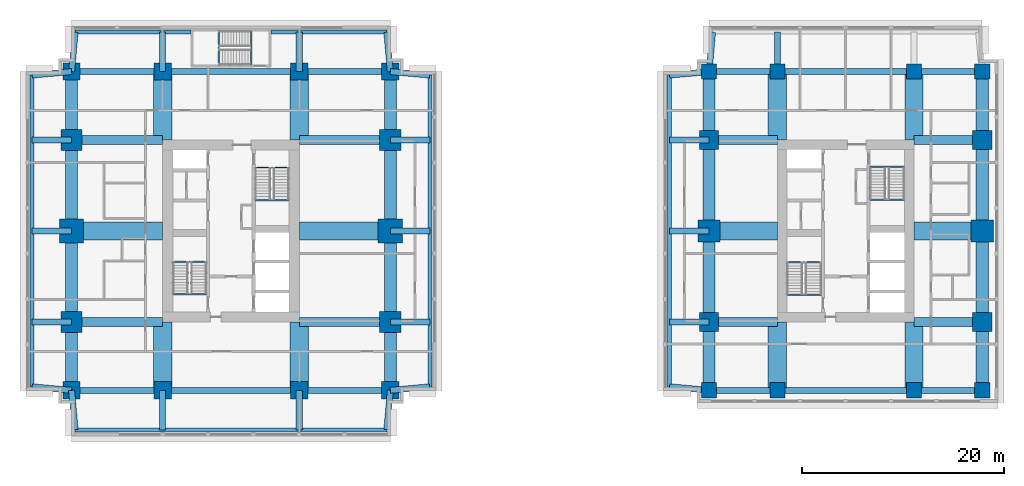
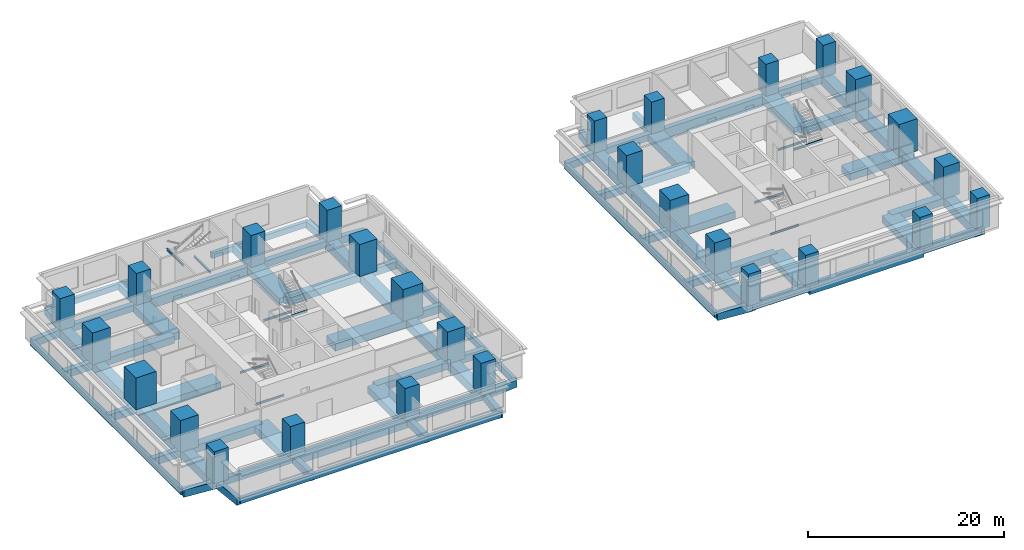
# One storey, part 1 of 10: 89 beams, 28 columns.
"""IFC4 building model written with IfcOpenShell, lengths in metres."""

from ifc_helpers import new_model, si_unit, direction, frame, origin, origin_2d, place, context, subcontext, project, spatial, rectangle, i_section, extrude, material, material_profile, profile_set, type_object, element, save


model = new_model("IFC4")

# Units and contexts
model_context = context("Model", 3, precision=1e-05, world=origin(), true_north=direction((0.0, 1.0)))
body_context = subcontext(model_context, "Body", "Model", "MODEL_VIEW")
ifc_project = project(units=[si_unit("LENGTHUNIT", "METRE"), si_unit("AREAUNIT", "SQUARE_METRE"), si_unit("VOLUMEUNIT", "CUBIC_METRE"), si_unit("PLANEANGLEUNIT", "RADIAN"), si_unit("MASSUNIT", "GRAM", prefix="KILO")], contexts=[model_context])

# Site, building, storey
site_placement = place(None, origin())
site = spatial("IfcSite", under=ifc_project, at=site_placement, CompositionType="ELEMENT")
building_placement = place(site_placement, origin())
building = spatial("IfcBuilding", under=site, at=building_placement, Name="Namib Vertical Campus", CompositionType="ELEMENT")
storey_placement = place(building_placement, frame((0.0, 0.0, 165.0)))
storey = spatial("IfcBuildingStorey", under=building, at=storey_placement, Name="L39", CompositionType="ELEMENT", Elevation=165.0)

# Columns
ifc_material_1 = material(Name="Concrete C60/75", Category="concrete")
ifc_material_profile_1 = material_profile(ifc_material_1, rectangle(XDim=1.5, YDim=1.5, at=origin_2d()))
ifc_profile_set_1 = profile_set([ifc_material_profile_1], Name="Concrete C60/75")
column_type_1 = type_object("IfcColumnType", Name="Column RC 1500x1500", PredefinedType="COLUMN", material=ifc_profile_set_1)
for number, where, z_axis, x_axis, name in (
    (1, (67.5, 4.5, 0.0), (0.0, 0.0, 1.0), (1.0, 0.0, 0.0), "Column C150 L39"),
    (2, (74.25, 4.5, 0.0), (0.0, 0.0, 1.0), (1.0, 0.0, 0.0), "Column C150 L39"),
    (3, (87.75, 4.5, 0.0), (0.0, 0.0, 1.0), (1.0, 0.0, 0.0), "Column C150 L39"),
    (4, (94.5, 4.5, 0.0), (0.0, 0.0, 1.0), (1.0, 0.0, 0.0), "Column C150 L39"),
    (5, (67.5, 36.0, 0.0), (0.0, 0.0, 1.0), (1.0, 0.0, 0.0), "Column C150 L39"),
    (6, (74.25, 36.0, 0.0), (0.0, 0.0, 1.0), (1.0, 0.0, 0.0), "Column C150 L39"),
    (7, (87.75, 36.0, 0.0), (0.0, 0.0, 1.0), (1.0, 0.0, 0.0), "Column C150 L39"),
    (8, (94.5, 36.0, 0.0), (0.0, 0.0, 1.0), (1.0, 0.0, 0.0), "Column C150 L39"),
):
    element("IfcColumn", number, at=place(storey_placement, frame(where, z_axis=z_axis, x_axis=x_axis)), inside=storey, type_object=column_type_1, Name=name, PredefinedType="COLUMN", context=body_context, shape_type="SweptSolid", body=[
        extrude(rectangle(XDim=1.5, YDim=1.5, at=origin_2d()), origin(), (0.0, 0.0, 1.0), 4.0),
    ])
ifc_material_2 = material(Name="Concrete C60/75", Category="concrete")
ifc_material_profile_2 = material_profile(ifc_material_2, rectangle(XDim=1.699951171875, YDim=1.699951171875, at=origin_2d()))
ifc_profile_set_2 = profile_set([ifc_material_profile_2], Name="Concrete C60/75")
column_type_2 = type_object("IfcColumnType", Name="Column RC 1700x1700", PredefinedType="COLUMN", material=ifc_profile_set_2)
for number, where, z_axis, x_axis, name in (
    (9, (4.5, 4.5, 0.0), (0.0, 0.0, 1.0), (1.0, 0.0, 0.0), "Column C170 L39"),
    (10, (13.5, 4.5, 0.0), (0.0, 0.0, 1.0), (1.0, 0.0, 0.0), "Column C170 L39"),
    (11, (27.0, 4.5, 0.0), (0.0, 0.0, 1.0), (1.0, 0.0, 0.0), "Column C170 L39"),
    (12, (36.0, 4.5, 0.0), (0.0, 0.0, 1.0), (1.0, 0.0, 0.0), "Column C170 L39"),
    (13, (4.5, 36.0, 0.0), (0.0, 0.0, 1.0), (1.0, 0.0, 0.0), "Column C170 L39"),
    (14, (13.5, 36.0, 0.0), (0.0, 0.0, 1.0), (1.0, 0.0, 0.0), "Column C170 L39"),
    (15, (27.0, 36.0, 0.0), (0.0, 0.0, 1.0), (1.0, 0.0, 0.0), "Column C170 L39"),
    (16, (36.0, 36.0, 0.0), (0.0, 0.0, 1.0), (1.0, 0.0, 0.0), "Column C170 L39"),
):
    element("IfcColumn", number, at=place(storey_placement, frame(where, z_axis=z_axis, x_axis=x_axis)), inside=storey, type_object=column_type_2, Name=name, PredefinedType="COLUMN", context=body_context, shape_type="SweptSolid", body=[
        extrude(rectangle(XDim=1.699951171875, YDim=1.699951171875, at=origin_2d()), origin(), (0.0, 0.0, 1.0), 4.0),
    ])
ifc_material_3 = material(Name="Concrete C60/75", Category="concrete")
ifc_material_profile_3 = material_profile(ifc_material_3, rectangle(XDim=1.89990234375, YDim=1.89990234375, at=origin_2d()))
ifc_profile_set_3 = profile_set([ifc_material_profile_3], Name="Concrete C60/75")
column_type_3 = type_object("IfcColumnType", Name="Column RC 1900x1900", PredefinedType="COLUMN", material=ifc_profile_set_3)
for number, where, z_axis, x_axis, name in (
    (17, (67.5, 11.25, 0.0), (0.0, 0.0, 1.0), (1.0, 0.0, 0.0), "Column C190 L39"),
    (18, (94.5, 11.25, 0.0), (0.0, 0.0, 1.0), (1.0, 0.0, 0.0), "Column C190 L39"),
    (19, (67.5, 29.25, 0.0), (0.0, 0.0, 1.0), (1.0, 0.0, 0.0), "Column C190 L39"),
    (20, (94.5, 29.25, 0.0), (0.0, 0.0, 1.0), (1.0, 0.0, 0.0), "Column C190 L39"),
):
    element("IfcColumn", number, at=place(storey_placement, frame(where, z_axis=z_axis, x_axis=x_axis)), inside=storey, type_object=column_type_3, Name=name, PredefinedType="COLUMN", context=body_context, shape_type="SweptSolid", body=[
        extrude(rectangle(XDim=1.89990234375, YDim=1.89990234375, at=origin_2d()), origin(), (0.0, 0.0, 1.0), 4.0),
    ])
ifc_material_4 = material(Name="Concrete C60/75", Category="concrete")
ifc_material_profile_4 = material_profile(ifc_material_4, rectangle(XDim=2.10009765625, YDim=2.10009765625, at=origin_2d()))
ifc_profile_set_4 = profile_set([ifc_material_profile_4], Name="Concrete C60/75")
column_type_4 = type_object("IfcColumnType", Name="Column RC 2100x2100", PredefinedType="COLUMN", material=ifc_profile_set_4)
for number, where, z_axis, x_axis, name in (
    (21, (4.5, 11.25, 0.0), (0.0, 0.0, 1.0), (1.0, 0.0, 0.0), "Column C210 L39"),
    (22, (36.0, 11.25, 0.0), (0.0, 0.0, 1.0), (1.0, 0.0, 0.0), "Column C210 L39"),
    (23, (4.5, 29.25, 0.0), (0.0, 0.0, 1.0), (1.0, 0.0, 0.0), "Column C210 L39"),
    (24, (36.0, 29.25, 0.0), (0.0, 0.0, 1.0), (1.0, 0.0, 0.0), "Column C210 L39"),
):
    element("IfcColumn", number, at=place(storey_placement, frame(where, z_axis=z_axis, x_axis=x_axis)), inside=storey, type_object=column_type_4, Name=name, PredefinedType="COLUMN", context=body_context, shape_type="SweptSolid", body=[
        extrude(rectangle(XDim=2.10009765625, YDim=2.10009765625, at=origin_2d()), origin(), (0.0, 0.0, 1.0), 4.0),
    ])
ifc_material_5 = material(Name="Concrete C60/75", Category="concrete")
ifc_material_profile_5 = material_profile(ifc_material_5, rectangle(XDim=2.199951171875, YDim=2.199951171875, at=origin_2d()))
ifc_profile_set_5 = profile_set([ifc_material_profile_5], Name="Concrete C60/75")
column_type_5 = type_object("IfcColumnType", Name="Column RC 2200x2200", PredefinedType="COLUMN", material=ifc_profile_set_5)
for number, where, z_axis, x_axis, name in (
    (25, (67.5, 20.25, 0.0), (0.0, 0.0, 1.0), (1.0, 0.0, 0.0), "Column C220 L39"),
    (26, (94.5, 20.25, 0.0), (0.0, 0.0, 1.0), (1.0, 0.0, 0.0), "Column C220 L39"),
):
    element("IfcColumn", number, at=place(storey_placement, frame(where, z_axis=z_axis, x_axis=x_axis)), inside=storey, type_object=column_type_5, Name=name, PredefinedType="COLUMN", context=body_context, shape_type="SweptSolid", body=[
        extrude(rectangle(XDim=2.199951171875, YDim=2.199951171875, at=origin_2d()), origin(), (0.0, 0.0, 1.0), 4.0),
    ])
ifc_material_6 = material(Name="Concrete C60/75", Category="concrete")
ifc_material_profile_6 = material_profile(ifc_material_6, rectangle(XDim=2.39990234375, YDim=2.39990234375, at=origin_2d()))
ifc_profile_set_6 = profile_set([ifc_material_profile_6], Name="Concrete C60/75")
column_type_6 = type_object("IfcColumnType", Name="Column RC 2400x2400", PredefinedType="COLUMN", material=ifc_profile_set_6)
for number, where, z_axis, x_axis, name in (
    (27, (4.5, 20.25, 0.0), (0.0, 0.0, 1.0), (1.0, 0.0, 0.0), "Column C240 L39"),
    (28, (36.0, 20.25, 0.0), (0.0, 0.0, 1.0), (1.0, 0.0, 0.0), "Column C240 L39"),
):
    element("IfcColumn", number, at=place(storey_placement, frame(where, z_axis=z_axis, x_axis=x_axis)), inside=storey, type_object=column_type_6, Name=name, PredefinedType="COLUMN", context=body_context, shape_type="SweptSolid", body=[
        extrude(rectangle(XDim=2.39990234375, YDim=2.39990234375, at=origin_2d()), origin(), (0.0, 0.0, 1.0), 4.0),
    ])

# Beams
ifc_material_7 = material(Name="Concrete C40/50", Category="concrete")
ifc_material_profile_7 = material_profile(ifc_material_7, rectangle(XDim=0.60009765625, YDim=0.89990234375, at=origin_2d()))
ifc_profile_set_7 = profile_set([ifc_material_profile_7], Name="Concrete C40/50")
beam_type_1 = type_object("IfcBeamType", Name="Cantilever girder RC 600x900", PredefinedType="BEAM", material=ifc_profile_set_7)
beam_1_placement = place(storey_placement, frame((4.5, 4.5, -0.699951171875), z_axis=(0.089411326146, -0.995994786511, 0.0), x_axis=(0.995994786511, 0.089411326146, 0.0)))
element("IfcBeam", 29, at=beam_1_placement, inside=storey, type_object=beam_type_1, Name="Beam B3 L39", PredefinedType="BEAM", context=body_context, shape_type="SweptSolid", body=[
    extrude(rectangle(XDim=0.60009765625, YDim=0.89990234375, at=origin_2d()), origin(), (0.0, 0.0, 1.0), 3.91552734375),
])
for number, where, z_axis, x_axis, name in (
    (30, (13.5, 4.5, -0.699951171875), (0.0, -1.0, 0.0), (1.0, 0.0, 0.0), "Beam B3 L39"),
    (31, (27.0, 4.5, -0.699951171875), (0.0, -1.0, 0.0), (1.0, 0.0, 0.0), "Beam B3 L39"),
):
    element("IfcBeam", number, at=place(storey_placement, frame(where, z_axis=z_axis, x_axis=x_axis)), inside=storey, type_object=beam_type_1, Name=name, PredefinedType="BEAM", context=body_context, shape_type="SweptSolid", body=[
        extrude(rectangle(XDim=0.60009765625, YDim=0.89990234375, at=origin_2d()), origin(), (0.0, 0.0, 1.0), 3.89990234375),
    ])
for number, where, z_axis, x_axis, name in (
    (32, (36.0, 4.5, -0.699951171875), (-0.089411326146, -0.995994786511, 0.0), (0.995994786511, -0.089411326146, 0.0), "Beam B3 L39"),
    (33, (4.5, 36.0, -0.699951171875), (0.089411326146, 0.995994786511, 0.0), (-0.995994786511, 0.089411326146, 0.0), "Beam B3 L39"),
):
    element("IfcBeam", number, at=place(storey_placement, frame(where, z_axis=z_axis, x_axis=x_axis)), inside=storey, type_object=beam_type_1, Name=name, PredefinedType="BEAM", context=body_context, shape_type="SweptSolid", body=[
        extrude(rectangle(XDim=0.60009765625, YDim=0.89990234375, at=origin_2d()), origin(), (0.0, 0.0, 1.0), 3.91552734375),
    ])
for number, where, z_axis, x_axis, name in (
    (34, (13.5, 36.0, -0.699951171875), (0.0, 1.0, 0.0), (-1.0, 0.0, 0.0), "Beam B3 L39"),
    (35, (27.0, 36.0, -0.699951171875), (0.0, 1.0, 0.0), (-1.0, 0.0, 0.0), "Beam B3 L39"),
):
    element("IfcBeam", number, at=place(storey_placement, frame(where, z_axis=z_axis, x_axis=x_axis)), inside=storey, type_object=beam_type_1, Name=name, PredefinedType="BEAM", context=body_context, shape_type="SweptSolid", body=[
        extrude(rectangle(XDim=0.60009765625, YDim=0.89990234375, at=origin_2d()), origin(), (0.0, 0.0, 1.0), 3.89990234375),
    ])
for number, where, z_axis, x_axis, name in (
    (36, (36.0, 36.0, -0.699951171875), (-0.089411326146, 0.995994786511, 0.0), (-0.995994786511, -0.089411326146, 0.0), "Beam B3 L39"),
    (37, (4.5, 4.5, -0.699951171875), (-0.995994786511, 0.089411326146, 0.0), (-0.089411326146, -0.995994786511, 0.0), "Beam B3 L39"),
):
    element("IfcBeam", number, at=place(storey_placement, frame(where, z_axis=z_axis, x_axis=x_axis)), inside=storey, type_object=beam_type_1, Name=name, PredefinedType="BEAM", context=body_context, shape_type="SweptSolid", body=[
        extrude(rectangle(XDim=0.60009765625, YDim=0.89990234375, at=origin_2d()), origin(), (0.0, 0.0, 1.0), 3.91552734375),
    ])
for number, where, z_axis, x_axis, name in (
    (38, (4.5, 11.25, -0.699951171875), (-1.0, 0.0, 0.0), (0.0, -1.0, 0.0), "Beam B3 L39"),
    (39, (4.5, 20.25, -0.699951171875), (-1.0, 0.0, 0.0), (0.0, -1.0, 0.0), "Beam B3 L39"),
    (40, (4.5, 29.25, -0.699951171875), (-1.0, 0.0, 0.0), (0.0, -1.0, 0.0), "Beam B3 L39"),
):
    element("IfcBeam", number, at=place(storey_placement, frame(where, z_axis=z_axis, x_axis=x_axis)), inside=storey, type_object=beam_type_1, Name=name, PredefinedType="BEAM", context=body_context, shape_type="SweptSolid", body=[
        extrude(rectangle(XDim=0.60009765625, YDim=0.89990234375, at=origin_2d()), origin(), (0.0, 0.0, 1.0), 3.89990234375),
    ])
for number, where, z_axis, x_axis, name in (
    (41, (4.5, 36.0, -0.699951171875), (-0.995994786511, -0.089411326146, 0.0), (0.089411326146, -0.995994786511, 0.0), "Beam B3 L39"),
    (42, (36.0, 4.5, -0.699951171875), (0.995994786511, 0.089411326146, 0.0), (-0.089411326146, 0.995994786511, 0.0), "Beam B3 L39"),
):
    element("IfcBeam", number, at=place(storey_placement, frame(where, z_axis=z_axis, x_axis=x_axis)), inside=storey, type_object=beam_type_1, Name=name, PredefinedType="BEAM", context=body_context, shape_type="SweptSolid", body=[
        extrude(rectangle(XDim=0.60009765625, YDim=0.89990234375, at=origin_2d()), origin(), (0.0, 0.0, 1.0), 3.91552734375),
    ])
for number, where, z_axis, x_axis, name in (
    (43, (36.0, 11.25, -0.699951171875), (1.0, 0.0, 0.0), (0.0, 1.0, 0.0), "Beam B3 L39"),
    (44, (36.0, 20.25, -0.699951171875), (1.0, 0.0, 0.0), (0.0, 1.0, 0.0), "Beam B3 L39"),
    (45, (36.0, 29.25, -0.699951171875), (1.0, 0.0, 0.0), (0.0, 1.0, 0.0), "Beam B3 L39"),
):
    element("IfcBeam", number, at=place(storey_placement, frame(where, z_axis=z_axis, x_axis=x_axis)), inside=storey, type_object=beam_type_1, Name=name, PredefinedType="BEAM", context=body_context, shape_type="SweptSolid", body=[
        extrude(rectangle(XDim=0.60009765625, YDim=0.89990234375, at=origin_2d()), origin(), (0.0, 0.0, 1.0), 3.89990234375),
    ])
for number, where, z_axis, x_axis, name in (
    (46, (36.0, 36.0, -0.699951171875), (0.995994786511, -0.089411326146, 0.0), (0.089411326146, 0.995994786511, 0.0), "Beam B3 L39"),
    (47, (67.5, 36.0, -0.699951171875), (0.089411326146, 0.995994786511, 0.0), (-0.995994786511, 0.089411326146, 0.0), "Beam B3 L39"),
):
    element("IfcBeam", number, at=place(storey_placement, frame(where, z_axis=z_axis, x_axis=x_axis)), inside=storey, type_object=beam_type_1, Name=name, PredefinedType="BEAM", context=body_context, shape_type="SweptSolid", body=[
        extrude(rectangle(XDim=0.60009765625, YDim=0.89990234375, at=origin_2d()), origin(), (0.0, 0.0, 1.0), 3.91552734375),
    ])
beam_2_placement = place(storey_placement, frame((74.25, 36.0, -0.699951171875), z_axis=(0.0, 1.0, 0.0), x_axis=(-1.0, 0.0, 0.0)))
element("IfcBeam", 48, at=beam_2_placement, inside=storey, type_object=beam_type_1, Name="Beam B3 L39", PredefinedType="BEAM", context=body_context, shape_type="SweptSolid", body=[
    extrude(rectangle(XDim=0.60009765625, YDim=0.89990234375, at=origin_2d()), origin(), (0.0, 0.0, 1.0), 3.89990234375),
])
beam_3_placement = place(storey_placement, frame((67.5, 4.5, -0.699951171875), z_axis=(-0.995994786511, 0.089411326146, 0.0), x_axis=(-0.089411326146, -0.995994786511, 0.0)))
element("IfcBeam", 49, at=beam_3_placement, inside=storey, type_object=beam_type_1, Name="Beam B3 L39", PredefinedType="BEAM", context=body_context, shape_type="SweptSolid", body=[
    extrude(rectangle(XDim=0.60009765625, YDim=0.89990234375, at=origin_2d()), origin(), (0.0, 0.0, 1.0), 3.91552734375),
])
for number, where, z_axis, x_axis, name in (
    (50, (67.5, 11.25, -0.699951171875), (-1.0, 0.0, 0.0), (0.0, -1.0, 0.0), "Beam B3 L39"),
    (51, (67.5, 20.25, -0.699951171875), (-1.0, 0.0, 0.0), (0.0, -1.0, 0.0), "Beam B3 L39"),
    (52, (67.5, 29.25, -0.699951171875), (-1.0, 0.0, 0.0), (0.0, -1.0, 0.0), "Beam B3 L39"),
):
    element("IfcBeam", number, at=place(storey_placement, frame(where, z_axis=z_axis, x_axis=x_axis)), inside=storey, type_object=beam_type_1, Name=name, PredefinedType="BEAM", context=body_context, shape_type="SweptSolid", body=[
        extrude(rectangle(XDim=0.60009765625, YDim=0.89990234375, at=origin_2d()), origin(), (0.0, 0.0, 1.0), 3.89990234375),
    ])
beam_4_placement = place(storey_placement, frame((67.5, 36.0, -0.699951171875), z_axis=(-0.995994786511, -0.089411326146, 0.0), x_axis=(0.089411326146, -0.995994786511, 0.0)))
element("IfcBeam", 53, at=beam_4_placement, inside=storey, type_object=beam_type_1, Name="Beam B3 L39", PredefinedType="BEAM", context=body_context, shape_type="SweptSolid", body=[
    extrude(rectangle(XDim=0.60009765625, YDim=0.89990234375, at=origin_2d()), origin(), (0.0, 0.0, 1.0), 3.91552734375),
])
ifc_material_8 = material(Name="Concrete C40/50", Category="concrete")
ifc_material_profile_8 = material_profile(ifc_material_8, rectangle(XDim=0.39990234375, YDim=0.699951171875, at=origin_2d()))
ifc_profile_set_8 = profile_set([ifc_material_profile_8], Name="Concrete C40/50")
beam_type_2 = type_object("IfcBeamType", Name="Edge beam RC 400x700", PredefinedType="SPANDREL", material=ifc_profile_set_8)
beam_5_placement = place(storey_placement, frame((4.85009765625, 0.60009765625, -0.60009765625), z_axis=(1.0, 0.0, 0.0), x_axis=(0.0, 1.0, 0.0)))
element("IfcBeam", 54, at=beam_5_placement, inside=storey, type_object=beam_type_2, Name="Beam B4 L39", PredefinedType="SPANDREL", context=body_context, shape_type="SweptSolid", body=[
    extrude(rectangle(XDim=0.39990234375, YDim=0.699951171875, at=origin_2d()), origin(), (0.0, 0.0, 1.0), 30.7998046875),
])
for number, where, z_axis, x_axis, name in (
    (55, (4.85009765625, 39.89990234375, -0.60009765625), (1.0, 0.0, 0.0), (0.0, 1.0, 0.0), "Beam B4 L39"),
    (56, (24.199951171875, 39.89990234375, -0.60009765625), (1.0, 0.0, 0.0), (0.0, 1.0, 0.0), "Beam B4 L39"),
):
    element("IfcBeam", number, at=place(storey_placement, frame(where, z_axis=z_axis, x_axis=x_axis)), inside=storey, type_object=beam_type_2, Name=name, PredefinedType="SPANDREL", context=body_context, shape_type="SweptSolid", body=[
        extrude(rectangle(XDim=0.39990234375, YDim=0.699951171875, at=origin_2d()), origin(), (0.0, 0.0, 1.0), 11.449951171875),
    ])
for number, where, z_axis, x_axis, name in (
    (57, (0.60009765625, 4.85009765625, -0.60009765625), (0.0, 1.0, 0.0), (-1.0, 0.0, 0.0), "Beam B4 L39"),
    (58, (39.89990234375, 4.85009765625, -0.60009765625), (0.0, 1.0, 0.0), (-1.0, 0.0, 0.0), "Beam B4 L39"),
    (59, (63.60009765625, 4.85009765625, -0.60009765625), (0.0, 1.0, 0.0), (-1.0, 0.0, 0.0), "Beam B4 L39"),
):
    element("IfcBeam", number, at=place(storey_placement, frame(where, z_axis=z_axis, x_axis=x_axis)), inside=storey, type_object=beam_type_2, Name=name, PredefinedType="SPANDREL", context=body_context, shape_type="SweptSolid", body=[
        extrude(rectangle(XDim=0.39990234375, YDim=0.699951171875, at=origin_2d()), origin(), (0.0, 0.0, 1.0), 30.7998046875),
    ])
ifc_material_9 = material(Name="Concrete C40/50", Category="concrete")
ifc_material_profile_9 = material_profile(ifc_material_9, rectangle(XDim=0.89990234375, YDim=0.89990234375, at=origin_2d()))
ifc_profile_set_9 = profile_set([ifc_material_profile_9], Name="Concrete C40/50")
beam_type_3 = type_object("IfcBeamType", Name="Face girder RC 900x900", PredefinedType="BEAM", material=ifc_profile_set_9)
for number, where, z_axis, x_axis, name in (
    (60, (4.5, 11.25, -0.699951171875), (1.0, 0.0, 0.0), (0.0, 1.0, 0.0), "Beam B10 L39"),
    (61, (36.0, 11.25, -0.699951171875), (-1.0, 0.0, 0.0), (0.0, -1.0, 0.0), "Beam B10 L39"),
    (62, (4.5, 29.25, -0.699951171875), (1.0, 0.0, 0.0), (0.0, 1.0, 0.0), "Beam B10 L39"),
    (63, (36.0, 29.25, -0.699951171875), (-1.0, 0.0, 0.0), (0.0, -1.0, 0.0), "Beam B10 L39"),
):
    element("IfcBeam", number, at=place(storey_placement, frame(where, z_axis=z_axis, x_axis=x_axis)), inside=storey, type_object=beam_type_3, Name=name, PredefinedType="BEAM", context=body_context, shape_type="SweptSolid", body=[
        extrude(rectangle(XDim=0.89990234375, YDim=0.89990234375, at=origin_2d()), origin(), (0.0, 0.0, 1.0), 9.0),
    ])
for number, where, z_axis, x_axis, name in (
    (64, (67.5, 11.25, -0.699951171875), (1.0, 0.0, 0.0), (0.0, 1.0, 0.0), "Beam B10 L39"),
    (65, (94.5, 11.25, -0.699951171875), (-1.0, 0.0, 0.0), (0.0, -1.0, 0.0), "Beam B10 L39"),
    (66, (67.5, 29.25, -0.699951171875), (1.0, 0.0, 0.0), (0.0, 1.0, 0.0), "Beam B10 L39"),
    (67, (94.5, 29.25, -0.699951171875), (-1.0, 0.0, 0.0), (0.0, -1.0, 0.0), "Beam B10 L39"),
):
    element("IfcBeam", number, at=place(storey_placement, frame(where, z_axis=z_axis, x_axis=x_axis)), inside=storey, type_object=beam_type_3, Name=name, PredefinedType="BEAM", context=body_context, shape_type="SweptSolid", body=[
        extrude(rectangle(XDim=0.89990234375, YDim=0.89990234375, at=origin_2d()), origin(), (0.0, 0.0, 1.0), 6.75),
    ])
ifc_material_10 = material(Name="Concrete C40/50", Category="concrete")
ifc_material_profile_10 = material_profile(ifc_material_10, rectangle(XDim=1.199951171875, YDim=1.10009765625, at=origin_2d()))
ifc_profile_set_10 = profile_set([ifc_material_profile_10], Name="Concrete C40/50")
beam_type_4 = type_object("IfcBeamType", Name="Face ring beam RC 1200x1100", PredefinedType="BEAM", material=ifc_profile_set_10)
beam_6_placement = place(storey_placement, frame((4.5, 4.5, -0.800048828125), z_axis=(0.0, 1.0, 0.0), x_axis=(-1.0, 0.0, 0.0)))
element("IfcBeam", 68, at=beam_6_placement, inside=storey, type_object=beam_type_4, Name="Beam B11 L39", PredefinedType="BEAM", context=body_context, shape_type="SweptSolid", body=[
    extrude(rectangle(XDim=1.199951171875, YDim=1.10009765625, at=origin_2d()), origin(), (0.0, 0.0, 1.0), 6.75),
])
for number, where, z_axis, x_axis, name in (
    (69, (4.5, 11.25, -0.800048828125), (0.0, 1.0, 0.0), (-1.0, 0.0, 0.0), "Beam B11 L39"),
    (70, (4.5, 20.25, -0.800048828125), (0.0, 1.0, 0.0), (-1.0, 0.0, 0.0), "Beam B11 L39"),
):
    element("IfcBeam", number, at=place(storey_placement, frame(where, z_axis=z_axis, x_axis=x_axis)), inside=storey, type_object=beam_type_4, Name=name, PredefinedType="BEAM", context=body_context, shape_type="SweptSolid", body=[
        extrude(rectangle(XDim=1.199951171875, YDim=1.10009765625, at=origin_2d()), origin(), (0.0, 0.0, 1.0), 9.0),
    ])
for number, where, z_axis, x_axis, name in (
    (71, (4.5, 29.25, -0.800048828125), (0.0, 1.0, 0.0), (-1.0, 0.0, 0.0), "Beam B11 L39"),
    (72, (36.0, 4.5, -0.800048828125), (0.0, 1.0, 0.0), (-1.0, 0.0, 0.0), "Beam B11 L39"),
):
    element("IfcBeam", number, at=place(storey_placement, frame(where, z_axis=z_axis, x_axis=x_axis)), inside=storey, type_object=beam_type_4, Name=name, PredefinedType="BEAM", context=body_context, shape_type="SweptSolid", body=[
        extrude(rectangle(XDim=1.199951171875, YDim=1.10009765625, at=origin_2d()), origin(), (0.0, 0.0, 1.0), 6.75),
    ])
for number, where, z_axis, x_axis, name in (
    (73, (36.0, 11.25, -0.800048828125), (0.0, 1.0, 0.0), (-1.0, 0.0, 0.0), "Beam B11 L39"),
    (74, (36.0, 20.25, -0.800048828125), (0.0, 1.0, 0.0), (-1.0, 0.0, 0.0), "Beam B11 L39"),
):
    element("IfcBeam", number, at=place(storey_placement, frame(where, z_axis=z_axis, x_axis=x_axis)), inside=storey, type_object=beam_type_4, Name=name, PredefinedType="BEAM", context=body_context, shape_type="SweptSolid", body=[
        extrude(rectangle(XDim=1.199951171875, YDim=1.10009765625, at=origin_2d()), origin(), (0.0, 0.0, 1.0), 9.0),
    ])
for number, where, z_axis, x_axis, name in (
    (75, (36.0, 29.25, -0.800048828125), (0.0, 1.0, 0.0), (-1.0, 0.0, 0.0), "Beam B11 L39"),
    (76, (67.5, 4.5, -0.800048828125), (0.0, 1.0, 0.0), (-1.0, 0.0, 0.0), "Beam B11 L39"),
):
    element("IfcBeam", number, at=place(storey_placement, frame(where, z_axis=z_axis, x_axis=x_axis)), inside=storey, type_object=beam_type_4, Name=name, PredefinedType="BEAM", context=body_context, shape_type="SweptSolid", body=[
        extrude(rectangle(XDim=1.199951171875, YDim=1.10009765625, at=origin_2d()), origin(), (0.0, 0.0, 1.0), 6.75),
    ])
for number, where, z_axis, x_axis, name in (
    (77, (67.5, 11.25, -0.800048828125), (0.0, 1.0, 0.0), (-1.0, 0.0, 0.0), "Beam B11 L39"),
    (78, (67.5, 20.25, -0.800048828125), (0.0, 1.0, 0.0), (-1.0, 0.0, 0.0), "Beam B11 L39"),
):
    element("IfcBeam", number, at=place(storey_placement, frame(where, z_axis=z_axis, x_axis=x_axis)), inside=storey, type_object=beam_type_4, Name=name, PredefinedType="BEAM", context=body_context, shape_type="SweptSolid", body=[
        extrude(rectangle(XDim=1.199951171875, YDim=1.10009765625, at=origin_2d()), origin(), (0.0, 0.0, 1.0), 9.0),
    ])
for number, where, z_axis, x_axis, name in (
    (79, (67.5, 29.25, -0.800048828125), (0.0, 1.0, 0.0), (-1.0, 0.0, 0.0), "Beam B11 L39"),
    (80, (94.5, 4.5, -0.800048828125), (0.0, 1.0, 0.0), (-1.0, 0.0, 0.0), "Beam B11 L39"),
):
    element("IfcBeam", number, at=place(storey_placement, frame(where, z_axis=z_axis, x_axis=x_axis)), inside=storey, type_object=beam_type_4, Name=name, PredefinedType="BEAM", context=body_context, shape_type="SweptSolid", body=[
        extrude(rectangle(XDim=1.199951171875, YDim=1.10009765625, at=origin_2d()), origin(), (0.0, 0.0, 1.0), 6.75),
    ])
for number, where, z_axis, x_axis, name in (
    (81, (94.5, 11.25, -0.800048828125), (0.0, 1.0, 0.0), (-1.0, 0.0, 0.0), "Beam B11 L39"),
    (82, (94.5, 20.25, -0.800048828125), (0.0, 1.0, 0.0), (-1.0, 0.0, 0.0), "Beam B11 L39"),
):
    element("IfcBeam", number, at=place(storey_placement, frame(where, z_axis=z_axis, x_axis=x_axis)), inside=storey, type_object=beam_type_4, Name=name, PredefinedType="BEAM", context=body_context, shape_type="SweptSolid", body=[
        extrude(rectangle(XDim=1.199951171875, YDim=1.10009765625, at=origin_2d()), origin(), (0.0, 0.0, 1.0), 9.0),
    ])
beam_7_placement = place(storey_placement, frame((94.5, 29.25, -0.800048828125), z_axis=(0.0, 1.0, 0.0), x_axis=(-1.0, 0.0, 0.0)))
element("IfcBeam", 83, at=beam_7_placement, inside=storey, type_object=beam_type_4, Name="Beam B11 L39", PredefinedType="BEAM", context=body_context, shape_type="SweptSolid", body=[
    extrude(rectangle(XDim=1.199951171875, YDim=1.10009765625, at=origin_2d()), origin(), (0.0, 0.0, 1.0), 6.75),
])
ifc_material_11 = material(Name="Steel S355JR", Category="steel")
ifc_material_profile_11 = material_profile(ifc_material_11, i_section(OverallWidth=0.14599609375, OverallDepth=0.25146484375, WebThickness=0.006103515625, FlangeThickness=0.008544921875, FilletRadius=0.007568359375, at=origin_2d()))
ifc_profile_set_11 = profile_set([ifc_material_profile_11], Name="Steel S355JR")
beam_type_5 = type_object("IfcBeamType", Name="Landing trimmer UB 254x146x31", PredefinedType="BEAM", material=ifc_profile_set_11)
for number, where, z_axis, x_axis, name in (
    (84, (14.5, 13.97705078125, -0.125732421875), (1.0, 0.0, 0.0), (0.0, 1.0, 0.0), "Landing trimmer LT1 A-S1 L39 1"),
    (85, (14.5, 17.203125, 1.874267578125), (1.0, 0.0, 0.0), (0.0, 1.0, 0.0), "Landing trimmer LT1 A-S1 L39 2"),
    (86, (22.64990234375, 26.52294921875, -0.125732421875), (1.0, 0.0, 0.0), (0.0, 1.0, 0.0), "Landing trimmer LT1 A-S2 L39 1"),
    (87, (22.64990234375, 23.296875, 1.874267578125), (1.0, 0.0, 0.0), (0.0, 1.0, 0.0), "Landing trimmer LT1 A-S2 L39 2"),
):
    element("IfcBeam", number, at=place(storey_placement, frame(where, z_axis=z_axis, x_axis=x_axis)), inside=storey, type_object=beam_type_5, Name=name, PredefinedType="BEAM", context=body_context, shape_type="SweptSolid", body=[
        extrude(i_section(OverallWidth=0.14599609375, OverallDepth=0.25146484375, WebThickness=0.006103515625, FlangeThickness=0.008544921875, FilletRadius=0.007568359375, at=origin_2d()), origin(), (0.0, 0.0, 1.0), 3.35009765625),
    ])
for number, where, z_axis, x_axis, name in (
    (88, (75.199951171875, 13.927001953125, -0.125732421875), (1.0, 0.0, 0.0), (0.0, 1.0, 0.0), "Landing trimmer LT1 B-S1 L39 1"),
    (89, (75.199951171875, 17.153076171875, 1.874267578125), (1.0, 0.0, 0.0), (0.0, 1.0, 0.0), "Landing trimmer LT1 B-S1 L39 2"),
    (90, (83.39990234375, 26.572998046875, -0.125732421875), (1.0, 0.0, 0.0), (0.0, 1.0, 0.0), "Landing trimmer LT1 B-S2 L39 1"),
    (91, (83.39990234375, 23.346923828125, 1.874267578125), (1.0, 0.0, 0.0), (0.0, 1.0, 0.0), "Landing trimmer LT1 B-S2 L39 2"),
):
    element("IfcBeam", number, at=place(storey_placement, frame(where, z_axis=z_axis, x_axis=x_axis)), inside=storey, type_object=beam_type_5, Name=name, PredefinedType="BEAM", context=body_context, shape_type="SweptSolid", body=[
        extrude(i_section(OverallWidth=0.14599609375, OverallDepth=0.25146484375, WebThickness=0.006103515625, FlangeThickness=0.008544921875, FilletRadius=0.007568359375, at=origin_2d()), origin(), (0.0, 0.0, 1.0), 3.400146484375),
    ])
for number, where, z_axis, x_axis, name in (
    (92, (22.27294921875, 36.64990234375, -0.125732421875), (0.0, 1.0, 0.0), (-1.0, 0.0, 0.0), "Landing trimmer LT1 A-S3 L39 1"),
    (93, (19.046875, 36.64990234375, 1.874267578125), (0.0, 1.0, 0.0), (-1.0, 0.0, 0.0), "Landing trimmer LT1 A-S3 L39 2"),
):
    element("IfcBeam", number, at=place(storey_placement, frame(where, z_axis=z_axis, x_axis=x_axis)), inside=storey, type_object=beam_type_5, Name=name, PredefinedType="BEAM", context=body_context, shape_type="SweptSolid", body=[
        extrude(i_section(OverallWidth=0.14599609375, OverallDepth=0.25146484375, WebThickness=0.006103515625, FlangeThickness=0.008544921875, FilletRadius=0.007568359375, at=origin_2d()), origin(), (0.0, 0.0, 1.0), 3.35009765625),
    ])
ifc_material_12 = material(Name="Concrete C40/50", Category="concrete")
ifc_material_profile_12 = material_profile(ifc_material_12, rectangle(XDim=0.60009765625, YDim=1.199951171875, at=origin_2d()))
ifc_profile_set_12 = profile_set([ifc_material_profile_12], Name="Concrete C40/50")
beam_type_6 = type_object("IfcBeamType", Name="Long-span ring beam RC 600x1200", PredefinedType="BEAM", material=ifc_profile_set_12)
for number, where, z_axis, x_axis, name in (
    (94, (13.5, 4.5, -0.85009765625), (1.0, 0.0, 0.0), (0.0, 1.0, 0.0), "Beam B9 L39"),
    (95, (13.5, 36.0, -0.85009765625), (1.0, 0.0, 0.0), (0.0, 1.0, 0.0), "Beam B9 L39"),
    (96, (74.25, 4.5, -0.85009765625), (1.0, 0.0, 0.0), (0.0, 1.0, 0.0), "Beam B9 L39"),
    (97, (74.25, 36.0, -0.85009765625), (1.0, 0.0, 0.0), (0.0, 1.0, 0.0), "Beam B9 L39"),
):
    element("IfcBeam", number, at=place(storey_placement, frame(where, z_axis=z_axis, x_axis=x_axis)), inside=storey, type_object=beam_type_6, Name=name, PredefinedType="BEAM", context=body_context, shape_type="SweptSolid", body=[
        extrude(rectangle(XDim=0.60009765625, YDim=1.199951171875, at=origin_2d()), origin(), (0.0, 0.0, 1.0), 13.5),
    ])
ifc_material_13 = material(Name="Concrete C40/50", Category="concrete")
ifc_material_profile_13 = material_profile(ifc_material_13, rectangle(XDim=1.800048828125, YDim=0.89990234375, at=origin_2d()))
ifc_profile_set_13 = profile_set([ifc_material_profile_13], Name="Concrete C40/50")
beam_type_7 = type_object("IfcBeamType", Name="Outrigger line girder RC 1800x900", PredefinedType="BEAM", material=ifc_profile_set_13)
for number, where, z_axis, x_axis, name in (
    (98, (13.5, 4.5, -0.699951171875), (0.0, 1.0, 0.0), (-1.0, 0.0, 0.0), "Beam B12 L39"),
    (99, (13.5, 36.0, -0.699951171875), (0.0, -1.0, 0.0), (1.0, 0.0, 0.0), "Beam B12 L39"),
    (100, (27.0, 4.5, -0.699951171875), (0.0, 1.0, 0.0), (-1.0, 0.0, 0.0), "Beam B12 L39"),
    (101, (27.0, 36.0, -0.699951171875), (0.0, -1.0, 0.0), (1.0, 0.0, 0.0), "Beam B12 L39"),
):
    element("IfcBeam", number, at=place(storey_placement, frame(where, z_axis=z_axis, x_axis=x_axis)), inside=storey, type_object=beam_type_7, Name=name, PredefinedType="BEAM", context=body_context, shape_type="SweptSolid", body=[
        extrude(rectangle(XDim=1.800048828125, YDim=0.89990234375, at=origin_2d()), origin(), (0.0, 0.0, 1.0), 6.75),
    ])
for number, where, z_axis, x_axis, name in (
    (102, (4.5, 20.25, -0.699951171875), (1.0, 0.0, 0.0), (0.0, 1.0, 0.0), "Beam B12 L39"),
    (103, (36.0, 20.25, -0.699951171875), (-1.0, 0.0, 0.0), (0.0, -1.0, 0.0), "Beam B12 L39"),
):
    element("IfcBeam", number, at=place(storey_placement, frame(where, z_axis=z_axis, x_axis=x_axis)), inside=storey, type_object=beam_type_7, Name=name, PredefinedType="BEAM", context=body_context, shape_type="SweptSolid", body=[
        extrude(rectangle(XDim=1.800048828125, YDim=0.89990234375, at=origin_2d()), origin(), (0.0, 0.0, 1.0), 9.0),
    ])
for number, where, z_axis, x_axis, name in (
    (104, (74.25, 4.5, -0.699951171875), (0.0, 1.0, 0.0), (-1.0, 0.0, 0.0), "Beam B12 L39"),
    (105, (74.25, 36.0, -0.699951171875), (0.0, -1.0, 0.0), (1.0, 0.0, 0.0), "Beam B12 L39"),
    (106, (87.75, 4.5, -0.699951171875), (0.0, 1.0, 0.0), (-1.0, 0.0, 0.0), "Beam B12 L39"),
    (107, (87.75, 36.0, -0.699951171875), (0.0, -1.0, 0.0), (1.0, 0.0, 0.0), "Beam B12 L39"),
    (108, (67.5, 20.25, -0.699951171875), (1.0, 0.0, 0.0), (0.0, 1.0, 0.0), "Beam B12 L39"),
    (109, (94.5, 20.25, -0.699951171875), (-1.0, 0.0, 0.0), (0.0, -1.0, 0.0), "Beam B12 L39"),
):
    element("IfcBeam", number, at=place(storey_placement, frame(where, z_axis=z_axis, x_axis=x_axis)), inside=storey, type_object=beam_type_7, Name=name, PredefinedType="BEAM", context=body_context, shape_type="SweptSolid", body=[
        extrude(rectangle(XDim=1.800048828125, YDim=0.89990234375, at=origin_2d()), origin(), (0.0, 0.0, 1.0), 6.75),
    ])
ifc_material_14 = material(Name="Concrete C40/50", Category="concrete")
ifc_material_profile_14 = material_profile(ifc_material_14, rectangle(XDim=0.60009765625, YDim=0.800048828125, at=origin_2d()))
ifc_profile_set_14 = profile_set([ifc_material_profile_14], Name="Concrete C40/50")
beam_type_8 = type_object("IfcBeamType", Name="Ring beam RC 600x800", PredefinedType="BEAM", material=ifc_profile_set_14)
for number, where, z_axis, x_axis, name in (
    (110, (4.5, 4.5, -0.64990234375), (1.0, 0.0, 0.0), (0.0, 1.0, 0.0), "Beam B1 L39"),
    (111, (27.0, 4.5, -0.64990234375), (1.0, 0.0, 0.0), (0.0, 1.0, 0.0), "Beam B1 L39"),
    (112, (4.5, 36.0, -0.64990234375), (1.0, 0.0, 0.0), (0.0, 1.0, 0.0), "Beam B1 L39"),
    (113, (27.0, 36.0, -0.64990234375), (1.0, 0.0, 0.0), (0.0, 1.0, 0.0), "Beam B1 L39"),
):
    element("IfcBeam", number, at=place(storey_placement, frame(where, z_axis=z_axis, x_axis=x_axis)), inside=storey, type_object=beam_type_8, Name=name, PredefinedType="BEAM", context=body_context, shape_type="SweptSolid", body=[
        extrude(rectangle(XDim=0.60009765625, YDim=0.800048828125, at=origin_2d()), origin(), (0.0, 0.0, 1.0), 9.0),
    ])
for number, where, z_axis, x_axis, name in (
    (114, (67.5, 4.5, -0.64990234375), (1.0, 0.0, 0.0), (0.0, 1.0, 0.0), "Beam B1 L39"),
    (115, (87.75, 4.5, -0.64990234375), (1.0, 0.0, 0.0), (0.0, 1.0, 0.0), "Beam B1 L39"),
    (116, (67.5, 36.0, -0.64990234375), (1.0, 0.0, 0.0), (0.0, 1.0, 0.0), "Beam B1 L39"),
    (117, (87.75, 36.0, -0.64990234375), (1.0, 0.0, 0.0), (0.0, 1.0, 0.0), "Beam B1 L39"),
):
    element("IfcBeam", number, at=place(storey_placement, frame(where, z_axis=z_axis, x_axis=x_axis)), inside=storey, type_object=beam_type_8, Name=name, PredefinedType="BEAM", context=body_context, shape_type="SweptSolid", body=[
        extrude(rectangle(XDim=0.60009765625, YDim=0.800048828125, at=origin_2d()), origin(), (0.0, 0.0, 1.0), 6.75),
    ])

save(model, "model.ifc")
